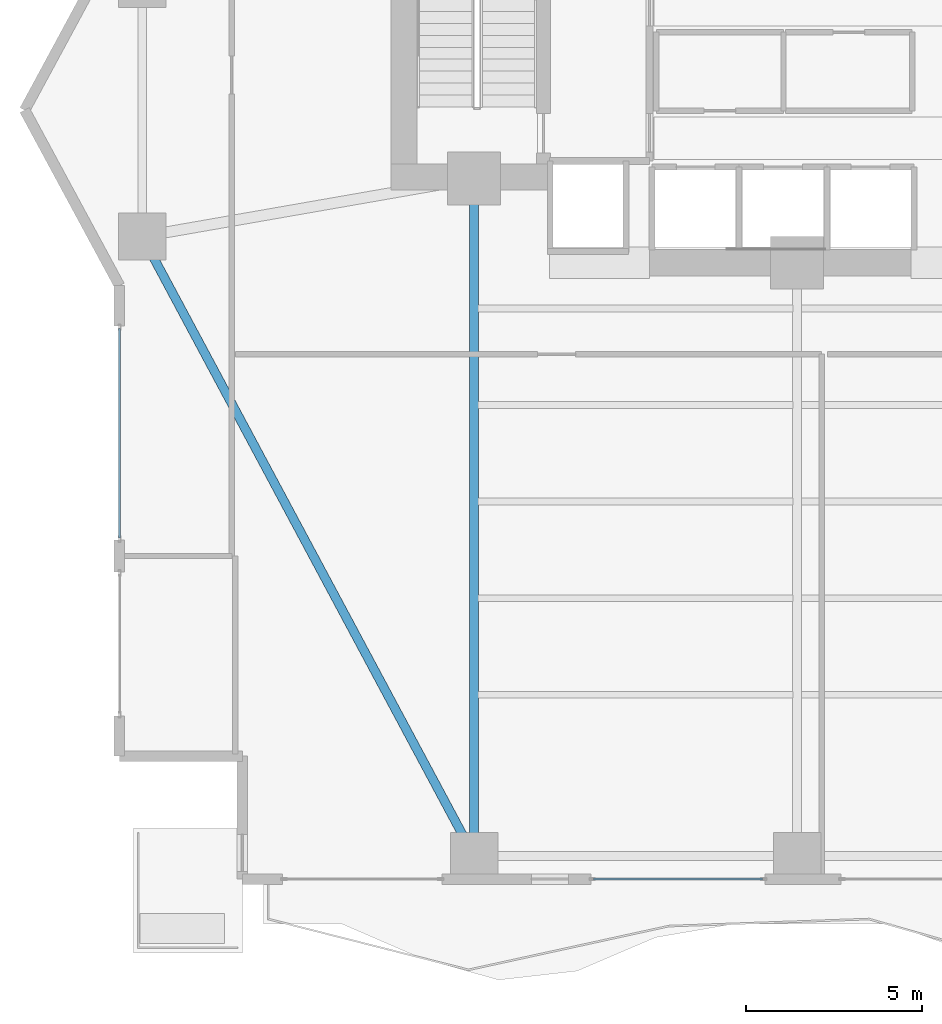
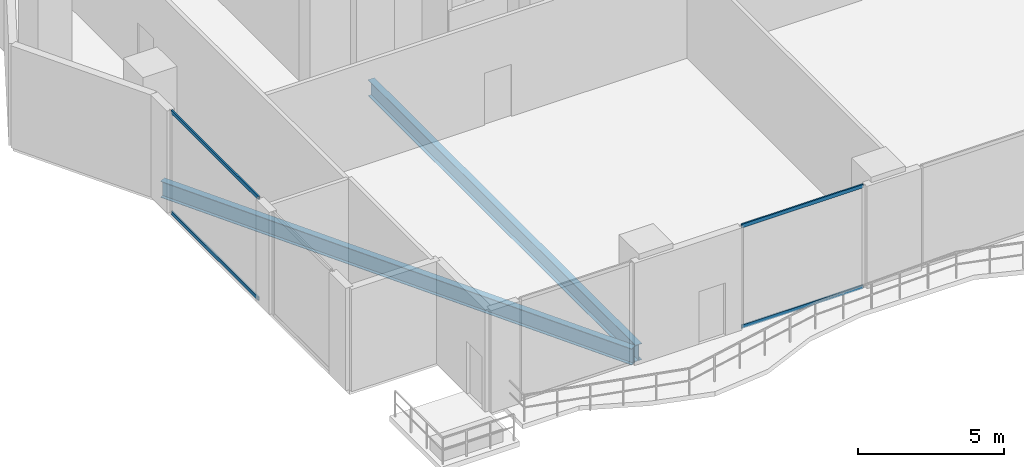
# One storey, part 4 of 33: 4 members, 2 beams, 2 elements without a shape of their own.
"""IFC4 building model written with IfcOpenShell, lengths in metres."""

from ifc_helpers import new_model, si_unit, direction, frame, origin, origin_2d, place, context, subcontext, project, spatial, hollow_rectangle, i_section, extrude, material, layer, layer_set, material_profile, profile_set, type_object, element, aggregate, save


model = new_model("IFC4")

# Units and contexts
model_context = context("Model", 3, precision=1e-05, world=origin(), true_north=direction((0.0, 1.0)))
body_context = subcontext(model_context, "Body", "Model", "MODEL_VIEW")
ifc_project = project(units=[si_unit("LENGTHUNIT", "METRE"), si_unit("AREAUNIT", "SQUARE_METRE"), si_unit("VOLUMEUNIT", "CUBIC_METRE"), si_unit("PLANEANGLEUNIT", "RADIAN"), si_unit("MASSUNIT", "GRAM", prefix="KILO")], contexts=[model_context])

# Site, building, storey
site_placement = place(None, origin())
site = spatial("IfcSite", under=ifc_project, at=site_placement, CompositionType="ELEMENT")
building_placement = place(site_placement, origin())
building = spatial("IfcBuilding", under=site, at=building_placement, Name="Zuhayl Quay Hotel", CompositionType="ELEMENT")
storey_placement = place(building_placement, frame((0.0, 0.0, 154.050048828125)))
storey = spatial("IfcBuildingStorey", under=building, at=storey_placement, Name="L39", CompositionType="ELEMENT", Elevation=154.050048828125)

# Beams
ifc_material_1 = material(Name="Steel ASTM A992 Grade 50", Category="steel")
ifc_material_profile_1 = material_profile(ifc_material_1, i_section(OverallWidth=0.25390625, OverallDepth=0.68310546875, WebThickness=0.012451171875, FlangeThickness=0.018798828125, at=origin_2d()), Name="W27X94")
ifc_profile_set_1 = profile_set([ifc_material_profile_1], Name="Steel ASTM A992 Grade 50")
beam_type = type_object("IfcBeamType", Name="BM_B2_W27X94", PredefinedType="BEAM", material=ifc_profile_set_1)
beam_1_placement = place(storey_placement, frame((-23.013916015625, 2.459228515625, -0.5615234375), z_axis=(0.472017301959, -0.88158928456, 0.0), x_axis=(0.88158928456, 0.472017301959, 0.0)))
element("IfcBeam", 1, at=beam_1_placement, inside=storey, type_object=beam_type, Name="L39 Floor Beam RG_L39_12", PredefinedType="BEAM", context=body_context, shape_type="SweptSolid", body=[
    extrude(i_section(OverallWidth=0.25390625, OverallDepth=0.68310546875, WebThickness=0.012451171875, FlangeThickness=0.018798828125, at=origin_2d()), origin(), (0.0, 0.0, 1.0), 19.0205078125),
])
beam_2_placement = place(storey_placement, frame((-13.800048828125, -14.25, -0.5615234375), z_axis=(0.0, 1.0, 0.0), x_axis=(-1.0, 0.0, 0.0)))
element("IfcBeam", 2, at=beam_2_placement, inside=storey, type_object=beam_type, Name="L39 Floor Beam FG_S_L39_1", PredefinedType="BEAM", context=body_context, shape_type="SweptSolid", body=[
    extrude(i_section(OverallWidth=0.25390625, OverallDepth=0.68310546875, WebThickness=0.012451171875, FlangeThickness=0.018798828125, at=origin_2d()), origin(), (0.0, 0.0, 1.0), 18.35009765625),
])

# Curtain wall, members
ifc_material_2 = material(Name="Anodised Aluminium 6063-T6", Category="aluminium")
ifc_layer = layer(ifc_material_2, 0.179931640625, Name="Anodised Aluminium 6063-T6", Category="aluminium")
ifc_layer_set = layer_set([ifc_layer], Name="Anodised Aluminium 6063-T6")
curtain_wall_type = type_object("IfcCurtainWallType", Name="CW_SYS_Z2", PredefinedType="USERDEFINED", material=ifc_layer_set)
curtain_wall_1_placement = place(storey_placement, origin())
curtain_wall_1 = element("IfcCurtainWall", 3, at=curtain_wall_1_placement, inside=storey, type_object=curtain_wall_type, Name="L39 Curtain Wall ENV_L39_E02_CW2", ObjectType="UNITISED CURTAIN WALL", PredefinedType="USERDEFINED")
ifc_material_3 = material(Name="Black-anodised aluminium 6063-T6", Category="aluminium")
ifc_material_profile_2 = material_profile(ifc_material_3, hollow_rectangle(XDim=0.06005859375, YDim=0.14990234375, WallThickness=0.00341796875, at=origin_2d()), Name="ALU150X60")
ifc_profile_set_2 = profile_set([ifc_material_profile_2], Name="Black-anodised aluminium 6063-T6")
member_type = type_object("IfcMemberType", Name="MB_CW_TRN_150", PredefinedType="USERDEFINED", material=ifc_profile_set_2)
member_1_placement = place(storey_placement, frame((-23.89990234375, -5.68505859375, 0.030029296875), z_axis=(0.0, 1.0, 0.0), x_axis=(-1.0, 0.0, 0.0)))
member_1 = element("IfcMember", 4, at=member_1_placement, type_object=member_type, Name="CW-Z2 transom 1.1", ObjectType="TRANSOM", PredefinedType="USERDEFINED", context=body_context, shape_type="SweptSolid", body=[
    extrude(hollow_rectangle(XDim=0.06005859375, YDim=0.14990234375, WallThickness=0.00341796875, at=origin_2d()), origin(), (0.0, 0.0, 1.0), 5.969970703125),
])
member_2_placement = place(storey_placement, frame((-23.89990234375, -5.68505859375, 4.25), z_axis=(0.0, 1.0, 0.0), x_axis=(-1.0, 0.0, 0.0)))
member_2 = element("IfcMember", 5, at=member_2_placement, type_object=member_type, Name="CW-Z2 transom 1.2", ObjectType="TRANSOM", PredefinedType="USERDEFINED", context=body_context, shape_type="SweptSolid", body=[
    extrude(hollow_rectangle(XDim=0.06005859375, YDim=0.14990234375, WallThickness=0.00341796875, at=origin_2d()), origin(), (0.0, 0.0, 1.0), 5.969970703125),
])
aggregate(curtain_wall_1, [member_1, member_2])

curtain_wall_2_placement = place(storey_placement, origin())
curtain_wall_2 = element("IfcCurtainWall", 6, at=curtain_wall_2_placement, inside=storey, type_object=curtain_wall_type, Name="L39 Curtain Wall ENV_L39_S_CW4", ObjectType="UNITISED CURTAIN WALL", PredefinedType="USERDEFINED")
member_3_placement = place(storey_placement, frame((-5.5849609375, -15.39990234375, 0.030029296875), z_axis=(-1.0, 0.0, 0.0), x_axis=(0.0, -1.0, 0.0)))
member_3 = element("IfcMember", 7, at=member_3_placement, type_object=member_type, Name="CW-Z2 transom 1.1", ObjectType="TRANSOM", PredefinedType="USERDEFINED", context=body_context, shape_type="SweptSolid", body=[
    extrude(hollow_rectangle(XDim=0.06005859375, YDim=0.14990234375, WallThickness=0.00341796875, at=origin_2d()), origin(), (0.0, 0.0, 1.0), 4.81494140625),
])
member_4_placement = place(storey_placement, frame((-5.5849609375, -15.39990234375, 4.25), z_axis=(-1.0, 0.0, 0.0), x_axis=(0.0, -1.0, 0.0)))
member_4 = element("IfcMember", 8, at=member_4_placement, type_object=member_type, Name="CW-Z2 transom 1.2", ObjectType="TRANSOM", PredefinedType="USERDEFINED", context=body_context, shape_type="SweptSolid", body=[
    extrude(hollow_rectangle(XDim=0.06005859375, YDim=0.14990234375, WallThickness=0.00341796875, at=origin_2d()), origin(), (0.0, 0.0, 1.0), 4.81494140625),
])
aggregate(curtain_wall_2, [member_3, member_4])

save(model, "model.ifc")
